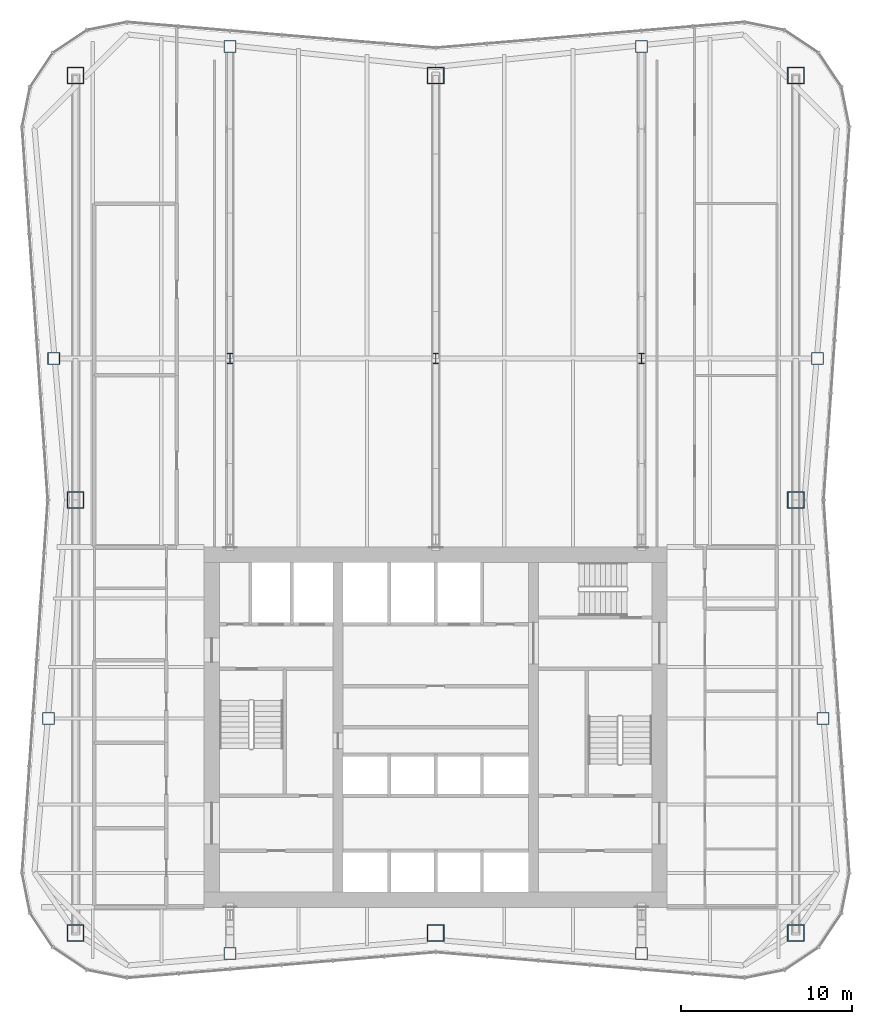
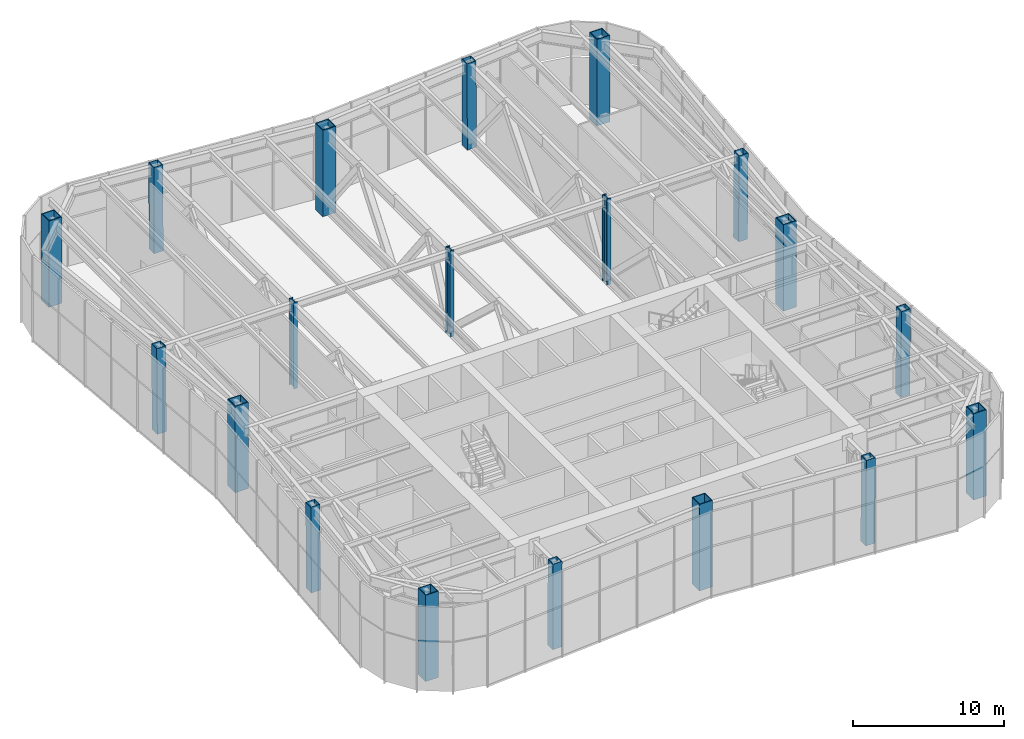
# One storey, part 1 of 14: 19 columns.
"""IFC4 building model written with IfcOpenShell, lengths in metres."""

from ifc_helpers import new_model, si_unit, direction, frame, origin, origin_2d, place, context, subcontext, project, spatial, hollow_rectangle, i_section, extrude, material, material_profile, profile_set, type_object, element, save


model = new_model("IFC4")

# Units and contexts
model_context = context("Model", 3, precision=1e-05, world=origin(), true_north=direction((0.0, 1.0)))
body_context = subcontext(model_context, "Body", "Model", "MODEL_VIEW")
ifc_project = project(units=[si_unit("LENGTHUNIT", "METRE"), si_unit("AREAUNIT", "SQUARE_METRE"), si_unit("VOLUMEUNIT", "CUBIC_METRE"), si_unit("PLANEANGLEUNIT", "RADIAN"), si_unit("MASSUNIT", "GRAM", prefix="KILO")], contexts=[model_context])

# Site, building, storey
site_placement = place(None, origin())
site = spatial("IfcSite", under=ifc_project, at=site_placement, CompositionType="ELEMENT")
building_placement = place(site_placement, origin())
building = spatial("IfcBuilding", under=site, at=building_placement, Name="Verdant Reach Tower", CompositionType="ELEMENT")
storey_placement = place(building_placement, frame((0.0, 0.0, 226.0)))
storey = spatial("IfcBuildingStorey", under=building, at=storey_placement, Name="L52 Plant", CompositionType="ELEMENT", Elevation=226.0)

# Columns
ifc_material = material(Name="Steel S460", Category="steel")
ifc_material_profile_1 = material_profile(ifc_material, i_section(OverallWidth=0.304931640625, OverallDepth=0.6201171875, WebThickness=0.02099609375, FlangeThickness=0.0400390625, FilletRadius=0.027099609375, at=origin_2d()), Name="HEM 600")
ifc_profile_set_1 = profile_set([ifc_material_profile_1], Name="Steel S460")
column_type_1 = type_object("IfcColumnType", Name="ST-COL-HEM600", PredefinedType="COLUMN", material=ifc_profile_set_1)
for number, where, z_axis, x_axis, name in (
    (1, (-12.0, 49.5, 0.0), (0.0, 0.0, 1.0), (1.0, 0.0, 0.0), "Interior column 1, L52 Plant"),
    (2, (0.0, 49.5, 0.0), (0.0, 0.0, 1.0), (1.0, 0.0, 0.0), "Interior column 2, L52 Plant"),
    (3, (12.0, 49.5, 0.0), (0.0, 0.0, 1.0), (1.0, 0.0, 0.0), "Interior column 3, L52 Plant"),
):
    element("IfcColumn", number, at=place(storey_placement, frame(where, z_axis=z_axis, x_axis=x_axis)), inside=storey, type_object=column_type_1, Name=name, PredefinedType="COLUMN", context=body_context, shape_type="SweptSolid", body=[
        extrude(i_section(OverallWidth=0.304931640625, OverallDepth=0.6201171875, WebThickness=0.02099609375, FlangeThickness=0.0400390625, FilletRadius=0.027099609375, at=origin_2d()), origin(), (0.0, 0.0, 1.0), 7.0),
    ])
ifc_material_profile_2 = material_profile(ifc_material, hollow_rectangle(XDim=1.0, YDim=1.0, WallThickness=0.06005859375, at=origin_2d()), Name="WB 1000x1000x60")
ifc_profile_set_2 = profile_set([ifc_material_profile_2], Name="Steel S460")
column_type_2 = type_object("IfcColumnType", Name="ST-COL-WB1000x1000x60", PredefinedType="COLUMN", material=ifc_profile_set_2)
for number, where, z_axis, x_axis, name in (
    (4, (-21.0, 66.0, 0.0), (0.0, 0.0, 1.0), (1.0, 0.0, 0.0), "Mega column north-west, L52 Plant"),
    (5, (0.0, 66.0, 0.0), (0.0, 0.0, 1.0), (1.0, 0.0, 0.0), "Mega column north, L52 Plant"),
    (6, (21.0, 66.0, 0.0), (0.0, 0.0, 1.0), (1.0, 0.0, 0.0), "Mega column north-east, L52 Plant"),
    (7, (21.0, 41.25, 0.0), (0.0, 0.0, 1.0), (1.0, 0.0, 0.0), "Mega column east, L52 Plant"),
    (8, (21.0, 16.0, 0.0), (0.0, 0.0, 1.0), (1.0, 0.0, 0.0), "Mega column south-east, L52 Plant"),
    (9, (0.0, 16.0, 0.0), (0.0, 0.0, 1.0), (1.0, 0.0, 0.0), "Mega column south, L52 Plant"),
    (10, (-21.0, 16.0, 0.0), (0.0, 0.0, 1.0), (1.0, 0.0, 0.0), "Mega column south-west, L52 Plant"),
    (11, (-21.0, 41.25, 0.0), (0.0, 0.0, 1.0), (1.0, 0.0, 0.0), "Mega column west, L52 Plant"),
):
    element("IfcColumn", number, at=place(storey_placement, frame(where, z_axis=z_axis, x_axis=x_axis)), inside=storey, type_object=column_type_2, Name=name, PredefinedType="COLUMN", context=body_context, shape_type="SweptSolid", body=[
        extrude(hollow_rectangle(XDim=1.0, YDim=1.0, WallThickness=0.06005859375, at=origin_2d()), origin(), (0.0, 0.0, 1.0), 7.0),
    ])
ifc_material_profile_3 = material_profile(ifc_material, hollow_rectangle(XDim=0.699951171875, YDim=0.699951171875, WallThickness=0.030029296875, at=origin_2d()), Name="WB 700x700x30")
ifc_profile_set_3 = profile_set([ifc_material_profile_3], Name="Steel S460")
column_type_3 = type_object("IfcColumnType", Name="ST-COL-WB700x700x30", PredefinedType="COLUMN", material=ifc_profile_set_3)
for number, where, z_axis, x_axis, name in (
    (12, (-12.0, 67.699951171875, 0.022705078125), (0.0, 0.007196331241, 0.999974106073), (-1.0, 0.0, 0.0), "Perimeter column north 1, L52 Plant"),
    (13, (12.0, 67.699951171875, 0.022705078125), (0.0, 0.007196331241, 0.999974106073), (-1.0, 0.0, 0.0), "Perimeter column north 2, L52 Plant"),
    (14, (-12.0, 14.800048828125, 0.022705078125), (0.0, -0.007196331241, 0.999974106073), (1.0, 0.0, 0.0), "Perimeter column south 1, L52 Plant"),
    (15, (12.0, 14.800048828125, 0.022705078125), (0.0, -0.007196331241, 0.999974106073), (1.0, 0.0, 0.0), "Perimeter column south 2, L52 Plant"),
    (16, (22.579345703125, 28.5, 0.022705078125), (0.007196331241, 0.0, 0.999974106073), (0.0, 1.0, 0.0), "Perimeter column east 1, L52 Plant"),
    (17, (22.26904296875, 49.5, 0.022705078125), (0.007196331241, 0.0, 0.999974106073), (0.0, 1.0, 0.0), "Perimeter column east 2, L52 Plant"),
    (18, (-22.579345703125, 28.5, 0.022705078125), (-0.007196331241, 0.0, 0.999974106073), (0.0, -1.0, 0.0), "Perimeter column west 1, L52 Plant"),
    (19, (-22.26904296875, 49.5, 0.022705078125), (-0.007196331241, 0.0, 0.999974106073), (0.0, -1.0, 0.0), "Perimeter column west 2, L52 Plant"),
):
    element("IfcColumn", number, at=place(storey_placement, frame(where, z_axis=z_axis, x_axis=x_axis)), inside=storey, type_object=column_type_3, Name=name, PredefinedType="COLUMN", context=body_context, shape_type="SweptSolid", body=[
        extrude(hollow_rectangle(XDim=0.699951171875, YDim=0.699951171875, WallThickness=0.030029296875, at=origin_2d()), origin(), (0.0, 0.0, 1.0), 6.954833984375),
    ])

save(model, "model.ifc")
